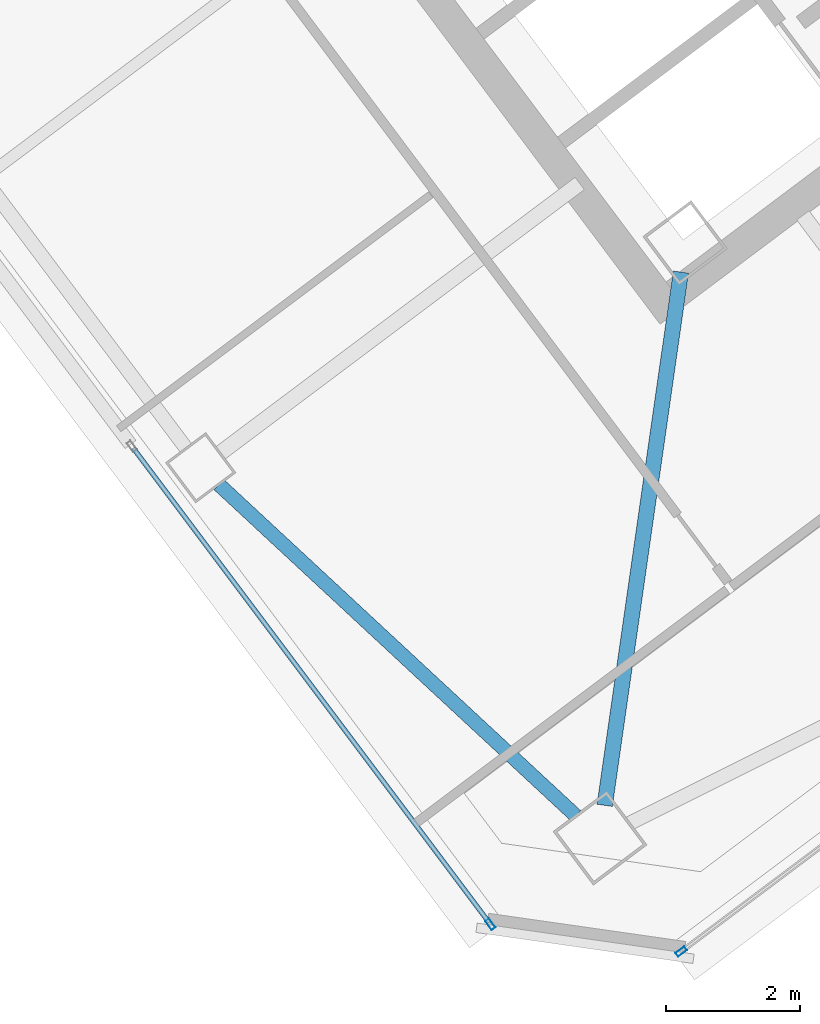
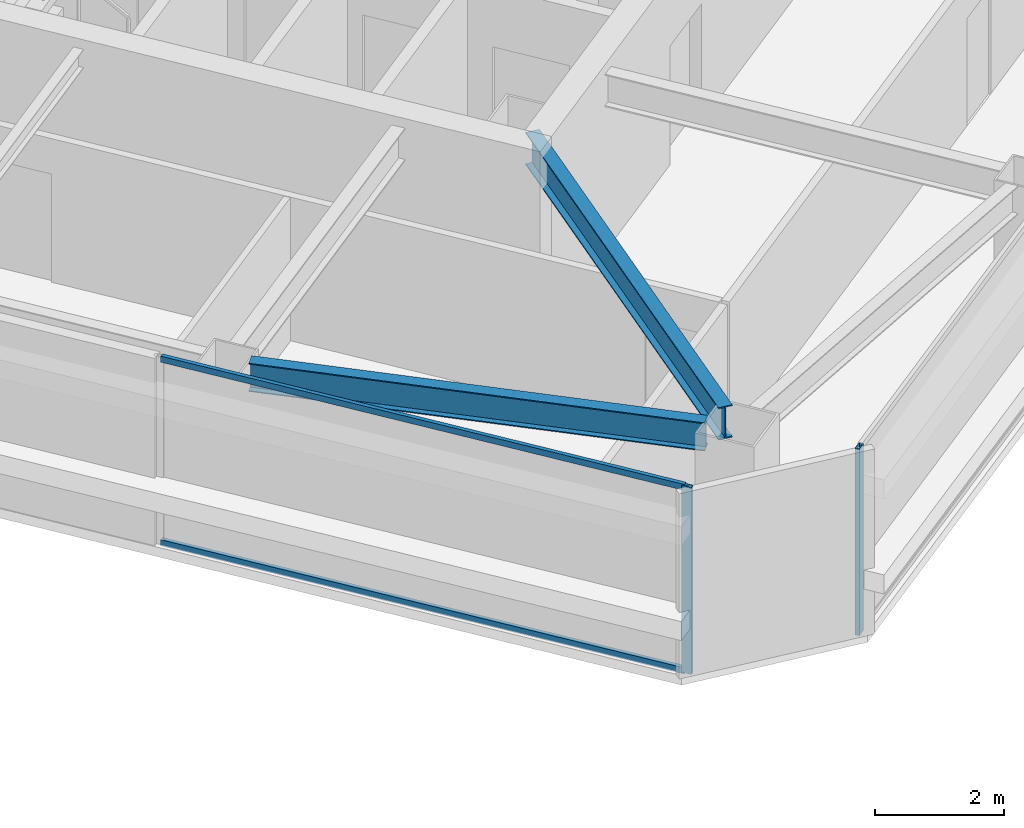
# One storey, part 17 of 39: 4 members, 2 beams, 2 elements without a shape of their own.
"""IFC4 building model written with IfcOpenShell, lengths in metres."""

from ifc_helpers import new_model, si_unit, direction, frame, origin, origin_2d, place, context, subcontext, project, spatial, hollow_rectangle, i_section, extrude, material, material_profile, profile_set, type_object, element, aggregate, save


model = new_model("IFC4")

# Units and contexts
model_context = context("Model", 3, precision=1e-05, world=origin(), true_north=direction((0.0, 1.0)))
body_context = subcontext(model_context, "Body", "Model", "MODEL_VIEW")
ifc_project = project(units=[si_unit("LENGTHUNIT", "METRE"), si_unit("AREAUNIT", "SQUARE_METRE"), si_unit("VOLUMEUNIT", "CUBIC_METRE"), si_unit("PLANEANGLEUNIT", "RADIAN"), si_unit("MASSUNIT", "GRAM", prefix="KILO")], contexts=[model_context])

# Site, building, storey
site_placement = place(None, origin())
site = spatial("IfcSite", under=ifc_project, at=site_placement, CompositionType="ELEMENT")
building_placement = place(site_placement, origin())
building = spatial("IfcBuilding", under=site, at=building_placement, Name="Tashvorn Skyway Center", CompositionType="ELEMENT")
storey_placement = place(building_placement, frame((0.0, 0.0, 207.75)))
storey = spatial("IfcBuildingStorey", under=building, at=storey_placement, Name="L56", CompositionType="ELEMENT", Elevation=207.75)

# Beams
ifc_material_1 = material(Name="Steel ASTM A992 Grade 50", Category="steel")
ifc_material_profile_1 = material_profile(ifc_material_1, i_section(OverallWidth=0.22998046875, OverallDepth=0.616943359375, WebThickness=0.01318359375, FlangeThickness=0.022216796875, at=origin_2d()), Name="W24X94")
ifc_profile_set_1 = profile_set([ifc_material_profile_1], Name="Steel ASTM A992 Grade 50")
beam_type_1 = type_object("IfcBeamType", Name="BM-BEAM-W24X94", PredefinedType="BEAM", material=ifc_profile_set_1)
beam_1_placement = place(storey_placement, frame((111.389892578125, 13.72998046875, 3.0615234375), z_axis=(0.141438360399, 0.989947064346, 0.0), x_axis=(-0.989947064346, 0.141438360399, 0.0)))
element("IfcBeam", 1, at=beam_1_placement, inside=storey, type_object=beam_type_1, Name="Tower 2 L56 Primary Floor Girder MC-SW", PredefinedType="BEAM", context=body_context, shape_type="SweptSolid", body=[
    extrude(i_section(OverallWidth=0.22998046875, OverallDepth=0.616943359375, WebThickness=0.01318359375, FlangeThickness=0.022216796875, at=origin_2d()), origin(), (0.0, 0.0, 1.0), 8.040283203125),
])
ifc_material_profile_2 = material_profile(ifc_material_1, i_section(OverallWidth=0.2109375, OverallDepth=0.5390625, WebThickness=0.01171875, FlangeThickness=0.018798828125, at=origin_2d()), Name="W21X73")
ifc_profile_set_2 = profile_set([ifc_material_profile_2], Name="Steel ASTM A992 Grade 50")
beam_type_2 = type_object("IfcBeamType", Name="BM-SPANDREL-W21X73", PredefinedType="SPANDREL", material=ifc_profile_set_2)
beam_2_placement = place(storey_placement, frame((105.63134765625, 18.518310546875, 3.1005859375), z_axis=(0.733042389989, -0.680182956622, 0.0), x_axis=(0.680182956622, 0.733042389989, 0.0)))
element("IfcBeam", 2, at=beam_2_placement, inside=storey, type_object=beam_type_2, Name="Tower 2 L56 Spandrel Beam 12", PredefinedType="SPANDREL", context=body_context, shape_type="SweptSolid", body=[
    extrude(i_section(OverallWidth=0.2109375, OverallDepth=0.5390625, WebThickness=0.01171875, FlangeThickness=0.018798828125, at=origin_2d()), origin(), (0.0, 0.0, 1.0), 7.26513671875),
])

# Curtain wall, member
ifc_material_2 = material(Name="Thermally broken bronze-anodized aluminium 6063-T6", Category="aluminium")
curtain_wall_type = type_object("IfcCurtainWallType", Name="CW-CW-Z5", PredefinedType="NOTDEFINED", material=ifc_material_2)
curtain_wall_1_placement = place(storey_placement, origin())
curtain_wall_1 = element("IfcCurtainWall", 3, at=curtain_wall_1_placement, inside=storey, type_object=curtain_wall_type, Name="Tower 2 L56 South Unitised Curtain Wall Glazing Group 2", PredefinedType="NOTDEFINED")
ifc_material_profile_3 = material_profile(ifc_material_2, hollow_rectangle(XDim=0.070068359375, YDim=0.1650390625, WallThickness=0.00390625, at=origin_2d()), Name="ALU-MULL-70x165")
ifc_profile_set_3 = profile_set([ifc_material_profile_3], Name="Thermally broken bronze-anodized aluminium 6063-T6")
member_type_1 = type_object("IfcMemberType", Name="CWM-CW-Z5", PredefinedType="MULLION", material=ifc_profile_set_3)
member_1_placement = place(storey_placement, frame((112.531982421875, 11.549072265625, 0.0), z_axis=(0.0, 0.0, 1.0), x_axis=(0.600001780418, -0.799998664683, 0.0)))
member_1 = element("IfcMember", 4, at=member_1_placement, type_object=member_type_1, Name="CW-Z5 mullion 2", PredefinedType="MULLION", context=body_context, shape_type="SweptSolid", body=[
    extrude(hollow_rectangle(XDim=0.070068359375, YDim=0.1650390625, WallThickness=0.00390625, at=origin_2d()), origin(), (0.0, 0.0, 1.0), 3.550048828125),
])
aggregate(curtain_wall_1, [member_1])

# Curtain wall, members
curtain_wall_2_placement = place(storey_placement, origin())
curtain_wall_2 = element("IfcCurtainWall", 5, at=curtain_wall_2_placement, inside=storey, type_object=curtain_wall_type, Name="Tower 2 L56 West Unitised Curtain Wall Glazing Group 1", PredefinedType="NOTDEFINED")
member_2_placement = place(storey_placement, frame((109.68310546875, 11.9560546875, 0.0), z_axis=(0.0, 0.0, 1.0), x_axis=(-0.799998664683, -0.600001780418, 0.0)))
member_2 = element("IfcMember", 6, at=member_2_placement, type_object=member_type_1, Name="CW-Z5 mullion 1", PredefinedType="MULLION", context=body_context, shape_type="SweptSolid", body=[
    extrude(hollow_rectangle(XDim=0.070068359375, YDim=0.1650390625, WallThickness=0.00390625, at=origin_2d()), origin(), (0.0, 0.0, 1.0), 3.550048828125),
])
ifc_material_profile_4 = material_profile(ifc_material_2, hollow_rectangle(XDim=0.070068359375, YDim=0.114990234375, WallThickness=0.00390625, at=origin_2d()), Name="ALU-TRAN-70x115")
ifc_profile_set_4 = profile_set([ifc_material_profile_4], Name="Thermally broken bronze-anodized aluminium 6063-T6")
member_type_2 = type_object("IfcMemberType", Name="CWT-CW-Z5", PredefinedType="USERDEFINED", material=ifc_profile_set_4)
member_3_placement = place(storey_placement, frame((109.662109375, 11.98388671875, 0.034912109375), z_axis=(-0.600004415441, 0.799996688401, 0.0), x_axis=(-0.799996688401, -0.600004415441, 0.0)))
member_3 = element("IfcMember", 7, at=member_3_placement, type_object=member_type_2, Name="CW-Z5 transom 1.1", ObjectType="TRANSOM", PredefinedType="USERDEFINED", context=body_context, shape_type="SweptSolid", body=[
    extrude(hollow_rectangle(XDim=0.070068359375, YDim=0.114990234375, WallThickness=0.00390625, at=origin_2d()), origin(), (0.0, 0.0, 1.0), 8.8466796875),
])
member_4_placement = place(storey_placement, frame((109.662109375, 11.98388671875, 3.514892578125), z_axis=(-0.600004415441, 0.799996688401, 0.0), x_axis=(-0.799996688401, -0.600004415441, 0.0)))
member_4 = element("IfcMember", 8, at=member_4_placement, type_object=member_type_2, Name="CW-Z5 transom 1.2", ObjectType="TRANSOM", PredefinedType="USERDEFINED", context=body_context, shape_type="SweptSolid", body=[
    extrude(hollow_rectangle(XDim=0.070068359375, YDim=0.114990234375, WallThickness=0.00390625, at=origin_2d()), origin(), (0.0, 0.0, 1.0), 8.8466796875),
])
aggregate(curtain_wall_2, [member_2, member_3, member_4])

save(model, "model.ifc")
